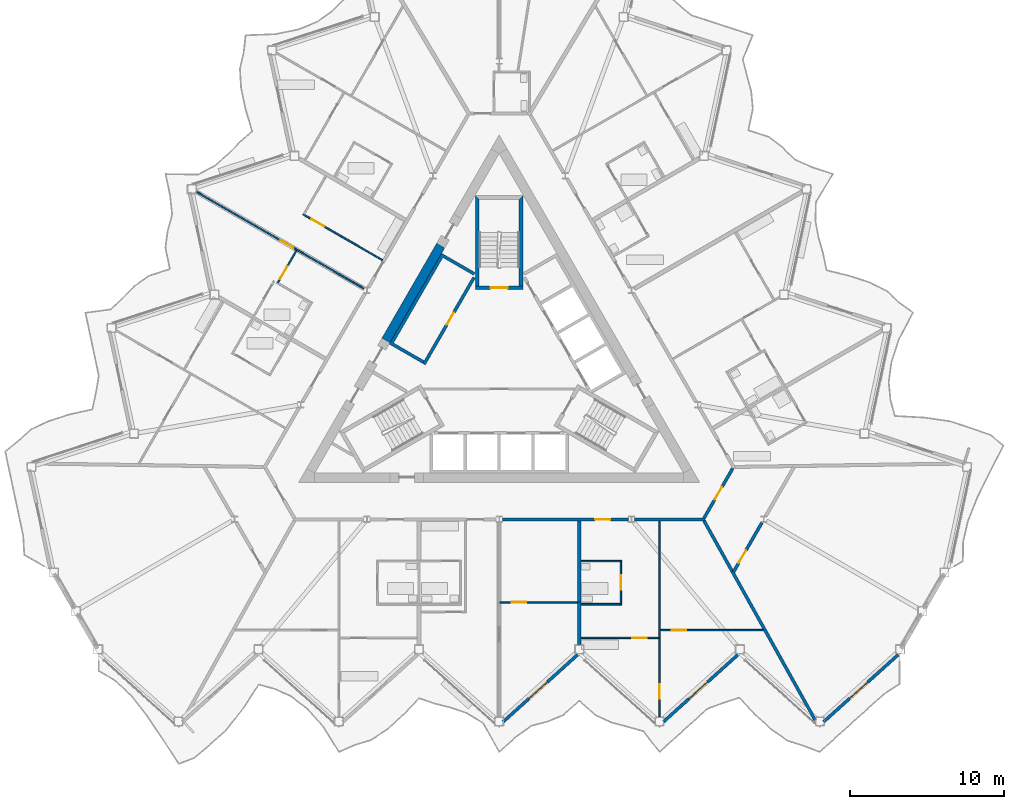
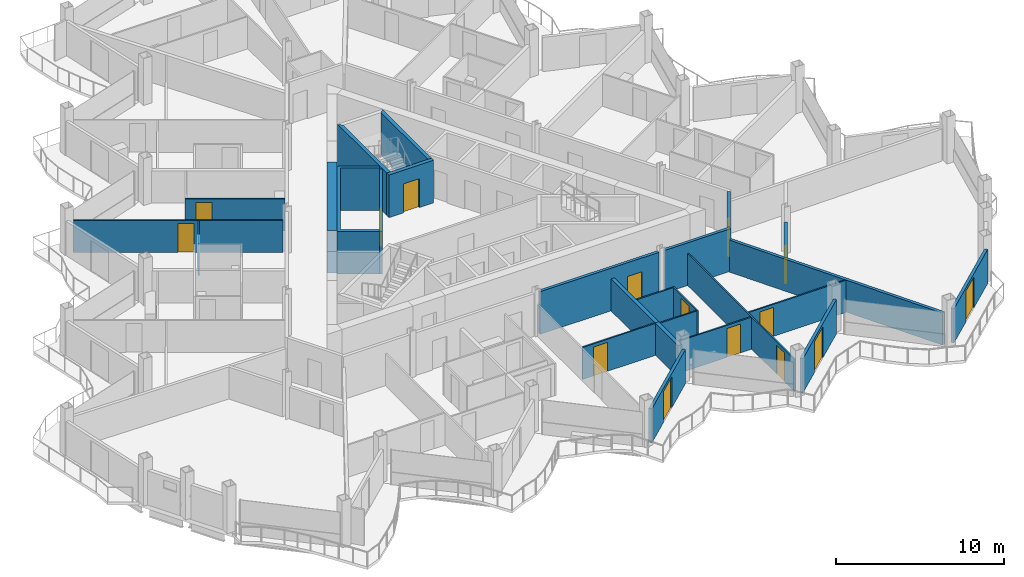
# One storey, part 15 of 26: 26 walls, 16 doors, 16 openings.
"""IFC4 building model written with IfcOpenShell, lengths in metres."""

from ifc_helpers import new_model, si_unit, direction, frame, frame_2d, origin, place, context, subcontext, project, spatial, polyline, rectangle, outline, extrude, material, layer, layer_set, type_object, element, fill, save


model = new_model("IFC4")

# Units and contexts
model_context = context("Model", 3, precision=1e-05, world=origin(), true_north=direction((0.0, 1.0)))
body_context = subcontext(model_context, "Body", "Model", "MODEL_VIEW")
ifc_project = project(units=[si_unit("LENGTHUNIT", "METRE"), si_unit("AREAUNIT", "SQUARE_METRE"), si_unit("VOLUMEUNIT", "CUBIC_METRE"), si_unit("PLANEANGLEUNIT", "RADIAN"), si_unit("MASSUNIT", "GRAM", prefix="KILO")], contexts=[model_context])

# Site, building, storey
site_placement = place(None, origin())
site = spatial("IfcSite", under=ifc_project, at=site_placement, CompositionType="ELEMENT")
building_placement = place(site_placement, origin())
building = spatial("IfcBuilding", under=site, at=building_placement, Name="Cormorant Prow Tower", CompositionType="ELEMENT")
storey_placement = place(building_placement, frame((0.0, 0.0, 325.60009765625)))
storey = spatial("IfcBuildingStorey", under=building, at=storey_placement, Name="L72", CompositionType="ELEMENT", Elevation=325.60009765625)

# Wall
ifc_material_1 = material(Name="Concrete 8000 psi", Category="concrete")
ifc_layer_1 = layer(ifc_material_1, 0.60009765625)
ifc_layer_set_1 = layer_set([ifc_layer_1], Name="Concrete 8000 psi")
wall_type_1 = type_object("IfcWallType", Name="Core shear wall 600", PredefinedType="SHEAR", material=ifc_layer_set_1)
wall_1_placement = place(storey_placement, frame((-3.794189453125, 7.839599609375, 0.0), z_axis=(0.0, 0.0, 1.0), x_axis=(-0.499974747889, -0.866039982607, 0.0)))
element("IfcWall", 1, at=wall_1_placement, inside=storey, type_object=wall_type_1, Name="Core wall", PredefinedType="SHEAR", context=body_context, shape_type="SweptSolid", body=[
    extrude(rectangle(XDim=7.092041015625, YDim=0.60009765625, at=frame_2d((3.5458984375, 0.0))), origin(), (0.0, 0.0, 1.0), 3.099853515625),
])

# Wall, opening, door
ifc_material_2 = material(Name="Gypsum board corridor wall")
ifc_layer_2 = layer(ifc_material_2, 0.199951171875)
ifc_layer_set_2 = layer_set([ifc_layer_2], Name="Gypsum board corridor wall")
wall_type_2 = type_object("IfcWallType", Name="Corridor wall 200", PredefinedType="PARTITIONING", material=ifc_layer_set_2)
wall_2_placement = place(storey_placement, frame((0.207763671875, -9.905517578125, 0.0), z_axis=(0.0, 0.0, 1.0), x_axis=(1.0, 0.0, 0.0)))
wall_2 = element("IfcWall", 2, at=wall_2_placement, inside=storey, type_object=wall_type_2, Name="Corridor wall", PredefinedType="PARTITIONING", context=body_context, shape_type="SweptSolid", body=[
    extrude(rectangle(XDim=8.1630859375, YDim=0.199951171875, at=frame_2d((4.08154296875, 0.0))), origin(), (0.0, 0.0, 1.0), 3.099853515625),
])
opening_1_placement = place(wall_2_placement, frame((6.00439453125, 0.0, 0.0)))
opening_1 = element("IfcOpeningElement", 3, at=opening_1_placement, cuts=wall_2, Name="Opening L72-F11", PredefinedType="OPENING", context=body_context, shape_type="SweptSolid", body=[
    extrude(rectangle(XDim=1.0, YDim=2.10009765625, at=frame_2d((0.5, 1.050048828125))), frame((0.0, 0.10986328125, 0.0), z_axis=(0.0, -1.0, 0.0), x_axis=(1.0, 0.0, 0.0)), (0.0, 0.0, 1.0), 0.219970703125),
])
ifc_material_3 = material(Name="Timber door leaf", Category="wood")
door_type_1 = type_object("IfcDoorType", Name="Flat or room entrance door 1000x2100", OperationType="NOTDEFINED", PredefinedType="DOOR", material=ifc_material_3)
door_1_placement = place(opening_1_placement, origin())
door_1 = element("IfcDoor", 4, at=door_1_placement, inside=storey, type_object=door_type_1, Name="Living room door", OperationType="SINGLE_SWING_LEFT", OverallHeight=2.10009765625, OverallWidth=1.0, PredefinedType="DOOR", context=body_context, shape_type="SweptSolid", body=[
    extrude(rectangle(XDim=1.0, YDim=2.10009765625, at=frame_2d((0.5, 1.050048828125))), frame((0.0, 0.02490234375, 0.0), z_axis=(0.0, -1.0, 0.0), x_axis=(1.0, 0.0, 0.0)), (0.0, 0.0, 1.0), 0.050048828125),
])
fill(opening_1, door_1)

# Wall
wall_3_placement = place(storey_placement, frame((8.7861328125, -9.905517578125, 0.0), z_axis=(0.0, 0.0, 1.0), x_axis=(1.0, 0.0, 0.0)))
element("IfcWall", 5, at=wall_3_placement, inside=storey, type_object=wall_type_2, Name="Corridor wall", PredefinedType="PARTITIONING", context=body_context, shape_type="SweptSolid", body=[
    extrude(rectangle(XDim=4.544677734375, YDim=0.199951171875, at=frame_2d((2.2724609375, 0.0))), origin(), (0.0, 0.0, 1.0), 3.099853515625),
])

# Wall, opening, door
wall_4_placement = place(storey_placement, frame((13.281005859375, -9.819091796875, 0.0), z_axis=(0.0, 0.0, 1.0), x_axis=(0.499958791762, 0.866049194065, 0.0)))
wall_4 = element("IfcWall", 6, at=wall_4_placement, inside=storey, type_object=wall_type_2, Name="Corridor wall", PredefinedType="PARTITIONING", context=body_context, shape_type="SweptSolid", body=[
    extrude(rectangle(XDim=3.725830078125, YDim=0.199951171875, at=frame_2d((1.86279296875, 0.0))), origin(), (0.0, 0.0, 1.0), 3.099853515625),
])
opening_2_placement = place(wall_4_placement, frame((1.387939453125, 0.0, 0.0)))
opening_2 = element("IfcOpeningElement", 7, at=opening_2_placement, cuts=wall_4, Name="Opening L72-F16", PredefinedType="OPENING", context=body_context, shape_type="SweptSolid", body=[
    extrude(rectangle(XDim=0.949951171875, YDim=2.10009765625, at=frame_2d((0.47509765625, 1.050048828125))), frame((0.0, 0.10986328125, 0.0), z_axis=(0.0, -1.0, 0.0), x_axis=(1.0, 0.0, 0.0)), (0.0, 0.0, 1.0), 0.219970703125),
])
ifc_material_4 = material(Name="Timber door leaf", Category="wood")
door_type_2 = type_object("IfcDoorType", Name="Store door 950x2100", OperationType="NOTDEFINED", PredefinedType="DOOR", material=ifc_material_4)
door_2_placement = place(opening_2_placement, origin())
door_2 = element("IfcDoor", 8, at=door_2_placement, inside=storey, type_object=door_type_2, Name="Refuse room door", OperationType="SINGLE_SWING_RIGHT", OverallHeight=2.10009765625, OverallWidth=0.949951171875, PredefinedType="DOOR", context=body_context, shape_type="SweptSolid", body=[
    extrude(rectangle(XDim=0.949951171875, YDim=2.10009765625, at=frame_2d((0.47509765625, 1.050048828125))), frame((0.0, 0.02490234375, 0.0), z_axis=(0.0, -1.0, 0.0), x_axis=(1.0, 0.0, 0.0)), (0.0, 0.0, 1.0), 0.050048828125),
])
fill(opening_2, door_2)

# Wall
ifc_material_5 = material(Name="Gypsum board demising wall")
ifc_layer_3 = layer(ifc_material_5, 0.199951171875)
ifc_layer_set_3 = layer_set([ifc_layer_3], Name="Gypsum board demising wall")
wall_type_3 = type_object("IfcWallType", Name="Demising wall 200", PredefinedType="PARTITIONING", material=ifc_layer_set_3)
wall_5_placement = place(storey_placement, frame((13.279541015625, -9.992919921875, 0.0), z_axis=(0.0, 0.0, 1.0), x_axis=(0.486918292843, -0.873447523378, 0.0)))
element("IfcWall", 9, at=wall_5_placement, inside=storey, type_object=wall_type_3, Name="Demising wall", PredefinedType="PARTITIONING", context=body_context, shape_type="SweptSolid", body=[
    extrude(rectangle(XDim=14.80078125, YDim=0.199951171875, at=frame_2d((7.400390625, 0.0))), origin(), (0.0, 0.0, 1.0), 2.330078125),
])

# Wall, opening, door
wall_6_placement = place(storey_placement, frame((15.19384765625, -13.3056640625, 0.0), z_axis=(0.0, 0.0, 1.0), x_axis=(0.50002820729, 0.866009117685, 0.0)))
wall_6 = element("IfcWall", 10, at=wall_6_placement, inside=storey, type_object=wall_type_3, Name="Demising wall", PredefinedType="PARTITIONING", context=body_context, shape_type="SweptSolid", body=[
    extrude(rectangle(XDim=3.686279296875, YDim=0.199951171875, at=frame_2d((1.84326171875, 0.0))), origin(), (0.0, 0.0, 1.0), 2.330078125),
])
opening_3_placement = place(wall_6_placement, frame((0.656494140625, 0.0, 0.0)))
opening_3 = element("IfcOpeningElement", 11, at=opening_3_placement, cuts=wall_6, Name="Opening L72-F17", PredefinedType="OPENING", context=body_context, shape_type="SweptSolid", body=[
    extrude(rectangle(XDim=0.949951171875, YDim=2.10009765625, at=frame_2d((0.47509765625, 1.050048828125))), frame((0.0, 0.10986328125, 0.0), z_axis=(0.0, -1.0, 0.0), x_axis=(1.0, 0.0, 0.0)), (0.0, 0.0, 1.0), 0.219970703125),
])
door_3_placement = place(opening_3_placement, origin())
door_3 = element("IfcDoor", 12, at=door_3_placement, inside=storey, type_object=door_type_2, Name="Bicycle store door", OperationType="SINGLE_SWING_LEFT", OverallHeight=2.10009765625, OverallWidth=0.949951171875, PredefinedType="DOOR", context=body_context, shape_type="SweptSolid", body=[
    extrude(rectangle(XDim=0.949951171875, YDim=2.10009765625, at=frame_2d((0.47509765625, 1.050048828125))), frame((0.0, 0.02490234375, 0.0), z_axis=(0.0, -1.0, 0.0), x_axis=(1.0, 0.0, 0.0)), (0.0, 0.0, 1.0), 0.050048828125),
])
fill(opening_3, door_3)

ifc_material_6 = material(Name="Gypsum board partition")
ifc_layer_4 = layer(ifc_material_6, 0.10009765625)
ifc_layer_set_4 = layer_set([ifc_layer_4], Name="Gypsum board partition")
wall_type_4 = type_object("IfcWallType", Name="Internal partition 100", PredefinedType="PARTITIONING", material=ifc_layer_set_4)
wall_7_placement = place(storey_placement, frame((10.389404296875, -22.697998046875, 0.0), z_axis=(0.0, 0.0, 1.0), x_axis=(0.0, 1.0, 0.0)))
wall_7 = element("IfcWall", 13, at=wall_7_placement, inside=storey, type_object=wall_type_4, Name="Internal partition", PredefinedType="PARTITIONING", context=body_context, shape_type="SweptSolid", body=[
    extrude(rectangle(XDim=12.6923828125, YDim=0.10009765625, at=frame_2d((6.34619140625, 0.0))), origin(), (0.0, 0.0, 1.0), 2.330078125),
])
opening_4_placement = place(wall_7_placement, frame((1.1533203125, 0.0, 0.0)))
opening_4 = element("IfcOpeningElement", 14, at=opening_4_placement, cuts=wall_7, Name="Opening L72-F14", PredefinedType="OPENING", context=body_context, shape_type="SweptSolid", body=[
    extrude(rectangle(XDim=0.949951171875, YDim=2.10009765625, at=frame_2d((0.47509765625, 1.050048828125))), frame((0.0, 0.06005859375, 0.0), z_axis=(0.0, -1.0, 0.0), x_axis=(1.0, 0.0, 0.0)), (0.0, 0.0, 1.0), 0.1201171875),
])
ifc_material_7 = material(Name="Timber door leaf", Category="wood")
door_type_3 = type_object("IfcDoorType", Name="Bathroom door 950x2100", OperationType="NOTDEFINED", PredefinedType="DOOR", material=ifc_material_7)
door_4_placement = place(opening_4_placement, origin())
door_4 = element("IfcDoor", 15, at=door_4_placement, inside=storey, type_object=door_type_3, Name="Kitchen door", OperationType="SINGLE_SWING_RIGHT", OverallHeight=2.10009765625, OverallWidth=0.949951171875, PredefinedType="DOOR", context=body_context, shape_type="SweptSolid", body=[
    extrude(rectangle(XDim=0.949951171875, YDim=2.10009765625, at=frame_2d((0.47509765625, 1.050048828125))), frame((0.0, 0.02490234375, 0.0), z_axis=(0.0, -1.0, 0.0), x_axis=(1.0, 0.0, 0.0)), (0.0, 0.0, 1.0), 0.050048828125),
])
fill(opening_4, door_4)

wall_8_placement = place(storey_placement, frame((-19.615478515625, 11.3251953125, 0.0), z_axis=(0.0, 0.0, 1.0), x_axis=(0.86602139559, -0.500006942333, 0.0)))
wall_8 = element("IfcWall", 16, at=wall_8_placement, inside=storey, type_object=wall_type_4, Name="Internal partition", PredefinedType="PARTITIONING", context=body_context, shape_type="SweptSolid", body=[
    extrude(rectangle(XDim=12.504638671875, YDim=0.10009765625, at=frame_2d((6.25244140625, 0.0))), origin(), (0.0, 0.0, 1.0), 2.330078125),
])
opening_5_placement = place(wall_8_placement, frame((6.27978515625, 0.0, 0.0)))
opening_5 = element("IfcOpeningElement", 17, at=opening_5_placement, cuts=wall_8, Name="Opening L72-F46", PredefinedType="OPENING", context=body_context, shape_type="SweptSolid", body=[
    extrude(rectangle(XDim=0.949951171875, YDim=2.10009765625, at=frame_2d((0.47509765625, 1.050048828125))), frame((0.0, 0.06005859375, 0.0), z_axis=(0.0, -1.0, 0.0), x_axis=(1.0, 0.0, 0.0)), (0.0, 0.0, 1.0), 0.1201171875),
])
door_5_placement = place(opening_5_placement, origin())
door_5 = element("IfcDoor", 18, at=door_5_placement, inside=storey, type_object=door_type_3, Name="Living room door", OperationType="SINGLE_SWING_RIGHT", OverallHeight=2.10009765625, OverallWidth=0.949951171875, PredefinedType="DOOR", context=body_context, shape_type="SweptSolid", body=[
    extrude(rectangle(XDim=0.949951171875, YDim=2.10009765625, at=frame_2d((0.47509765625, 1.050048828125))), frame((0.0, 0.02490234375, 0.0), z_axis=(0.0, -1.0, 0.0), x_axis=(1.0, 0.0, 0.0)), (0.0, 0.0, 1.0), 0.050048828125),
])
fill(opening_5, door_5)

wall_9_placement = place(storey_placement, frame((10.439453125, -17.083740234375, 0.0), z_axis=(0.0, 0.0, 1.0), x_axis=(1.0, 0.0, 0.0)))
wall_9 = element("IfcWall", 19, at=wall_9_placement, inside=storey, type_object=wall_type_4, Name="Internal partition", PredefinedType="PARTITIONING", context=body_context, shape_type="SweptSolid", body=[
    extrude(rectangle(XDim=6.69287109375, YDim=0.10009765625, at=frame_2d((3.346435546875, 0.0))), origin(), (0.0, 0.0, 1.0), 2.330078125),
])
opening_6_placement = place(wall_9_placement, frame((0.754150390625, 0.0, 0.0)))
opening_6 = element("IfcOpeningElement", 20, at=opening_6_placement, cuts=wall_9, Name="Opening L72-F15", PredefinedType="OPENING", context=body_context, shape_type="SweptSolid", body=[
    extrude(rectangle(XDim=0.949951171875, YDim=2.10009765625, at=frame_2d((0.47509765625, 1.050048828125))), frame((0.0, 0.06005859375, 0.0), z_axis=(0.0, -1.0, 0.0), x_axis=(1.0, 0.0, 0.0)), (0.0, 0.0, 1.0), 0.1201171875),
])
door_6_placement = place(opening_6_placement, origin())
door_6 = element("IfcDoor", 21, at=door_6_placement, inside=storey, type_object=door_type_3, Name="Bedroom door", OperationType="SINGLE_SWING_LEFT", OverallHeight=2.10009765625, OverallWidth=0.949951171875, PredefinedType="DOOR", context=body_context, shape_type="SweptSolid", body=[
    extrude(rectangle(XDim=0.949951171875, YDim=2.10009765625, at=frame_2d((0.47509765625, 1.050048828125))), frame((0.0, 0.02490234375, 0.0), z_axis=(0.0, -1.0, 0.0), x_axis=(1.0, 0.0, 0.0)), (0.0, 0.0, 1.0), 0.050048828125),
])
fill(opening_6, door_6)

wall_10_placement = place(storey_placement, frame((-12.720703125, 9.87841796875, 0.0), z_axis=(0.0, 0.0, 1.0), x_axis=(0.866027751316, -0.499995933934, 0.0)))
wall_10 = element("IfcWall", 22, at=wall_10_placement, inside=storey, type_object=wall_type_4, Name="Internal partition", PredefinedType="PARTITIONING", context=body_context, shape_type="SweptSolid", body=[
    extrude(rectangle(XDim=5.9501953125, YDim=0.10009765625, at=frame_2d((2.97509765625, 0.0))), origin(), (0.0, 0.0, 1.0), 2.330078125),
])
opening_7_placement = place(wall_10_placement, frame((0.64990234375, 0.0, 0.0)))
opening_7 = element("IfcOpeningElement", 23, at=opening_7_placement, cuts=wall_10, Name="Opening L72-F45", PredefinedType="OPENING", context=body_context, shape_type="SweptSolid", body=[
    extrude(rectangle(XDim=0.949951171875, YDim=2.10009765625, at=frame_2d((0.47509765625, 1.050048828125))), frame((0.0, 0.06005859375, 0.0), z_axis=(0.0, -1.0, 0.0), x_axis=(1.0, 0.0, 0.0)), (0.0, 0.0, 1.0), 0.1201171875),
])
door_7_placement = place(opening_7_placement, origin())
door_7 = element("IfcDoor", 24, at=door_7_placement, inside=storey, type_object=door_type_3, Name="Living room door", OperationType="SINGLE_SWING_LEFT", OverallHeight=2.10009765625, OverallWidth=0.949951171875, PredefinedType="DOOR", context=body_context, shape_type="SweptSolid", body=[
    extrude(rectangle(XDim=0.949951171875, YDim=2.10009765625, at=frame_2d((0.47509765625, 1.050048828125))), frame((0.0, 0.02490234375, 0.0), z_axis=(0.0, -1.0, 0.0), x_axis=(1.0, 0.0, 0.0)), (0.0, 0.0, 1.0), 0.050048828125),
])
fill(opening_7, door_7)

wall_11_placement = place(storey_placement, frame((5.319580078125, -17.591796875, 0.0), z_axis=(0.0, 0.0, 1.0), x_axis=(1.0, 0.0, 0.0)))
wall_11 = element("IfcWall", 25, at=wall_11_placement, inside=storey, type_object=wall_type_4, Name="Internal partition", PredefinedType="PARTITIONING", context=body_context, shape_type="SweptSolid", body=[
    extrude(rectangle(XDim=5.019775390625, YDim=0.10009765625, at=frame_2d((2.509765625, 0.0))), origin(), (0.0, 0.0, 1.0), 2.330078125),
])
opening_8_placement = place(wall_11_placement, frame((3.309814453125, 0.0, 0.0)))
opening_8 = element("IfcOpeningElement", 26, at=opening_8_placement, cuts=wall_11, Name="Opening L72-F13", PredefinedType="OPENING", context=body_context, shape_type="SweptSolid", body=[
    extrude(rectangle(XDim=0.949951171875, YDim=2.10009765625, at=frame_2d((0.47509765625, 1.050048828125))), frame((0.0, 0.06005859375, 0.0), z_axis=(0.0, -1.0, 0.0), x_axis=(1.0, 0.0, 0.0)), (0.0, 0.0, 1.0), 0.1201171875),
])
door_8_placement = place(opening_8_placement, origin())
door_8 = element("IfcDoor", 27, at=door_8_placement, inside=storey, type_object=door_type_3, Name="Living room door", OperationType="SINGLE_SWING_RIGHT", OverallHeight=2.10009765625, OverallWidth=0.949951171875, PredefinedType="DOOR", context=body_context, shape_type="SweptSolid", body=[
    extrude(rectangle(XDim=0.949951171875, YDim=2.10009765625, at=frame_2d((0.47509765625, 1.050048828125))), frame((0.0, 0.02490234375, 0.0), z_axis=(0.0, -1.0, 0.0), x_axis=(1.0, 0.0, 0.0)), (0.0, 0.0, 1.0), 0.050048828125),
])
fill(opening_8, door_8)

wall_12_placement = place(storey_placement, frame((0.050048828125, -15.28173828125, 0.0), z_axis=(0.0, 0.0, 1.0), x_axis=(1.0, 0.0, 0.0)))
wall_12 = element("IfcWall", 28, at=wall_12_placement, inside=storey, type_object=wall_type_4, Name="Internal partition", PredefinedType="PARTITIONING", context=body_context, shape_type="SweptSolid", body=[
    extrude(rectangle(XDim=5.01953125, YDim=0.10009765625, at=frame_2d((2.509765625, 0.0))), origin(), (0.0, 0.0, 1.0), 2.330078125),
])
opening_9_placement = place(wall_12_placement, frame((0.760009765625, 0.0, 0.0)))
opening_9 = element("IfcOpeningElement", 29, at=opening_9_placement, cuts=wall_12, Name="Opening L72-F09", PredefinedType="OPENING", context=body_context, shape_type="SweptSolid", body=[
    extrude(rectangle(XDim=0.949951171875, YDim=2.10009765625, at=frame_2d((0.47509765625, 1.050048828125))), frame((0.0, 0.06005859375, 0.0), z_axis=(0.0, -1.0, 0.0), x_axis=(1.0, 0.0, 0.0)), (0.0, 0.0, 1.0), 0.1201171875),
])
door_9_placement = place(opening_9_placement, origin())
door_9 = element("IfcDoor", 30, at=door_9_placement, inside=storey, type_object=door_type_3, Name="Bedroom door", OperationType="SINGLE_SWING_LEFT", OverallHeight=2.10009765625, OverallWidth=0.949951171875, PredefinedType="DOOR", context=body_context, shape_type="SweptSolid", body=[
    extrude(rectangle(XDim=0.949951171875, YDim=2.10009765625, at=frame_2d((0.47509765625, 1.050048828125))), frame((0.0, 0.02490234375, 0.0), z_axis=(0.0, -1.0, 0.0), x_axis=(1.0, 0.0, 0.0)), (0.0, 0.0, 1.0), 0.050048828125),
])
fill(opening_9, door_9)

wall_13_placement = place(storey_placement, frame((7.894775390625, -15.45556640625, 0.0), z_axis=(0.0, 0.0, 1.0), x_axis=(0.0, 1.0, 0.0)))
wall_13 = element("IfcWall", 31, at=wall_13_placement, inside=storey, type_object=wall_type_4, Name="Internal partition", PredefinedType="PARTITIONING", context=body_context, shape_type="SweptSolid", body=[
    extrude(rectangle(XDim=2.89990234375, YDim=0.10009765625, at=frame_2d((1.449951171875, 0.0))), origin(), (0.0, 0.0, 1.0), 2.330078125),
])
opening_10_placement = place(wall_13_placement, frame((0.97509765625, 0.0, 0.0)))
opening_10 = element("IfcOpeningElement", 32, at=opening_10_placement, cuts=wall_13, Name="Opening L72-F12", PredefinedType="OPENING", context=body_context, shape_type="SweptSolid", body=[
    extrude(rectangle(XDim=0.949951171875, YDim=2.10009765625, at=frame_2d((0.47509765625, 1.050048828125))), frame((0.0, 0.06005859375, 0.0), z_axis=(0.0, -1.0, 0.0), x_axis=(1.0, 0.0, 0.0)), (0.0, 0.0, 1.0), 0.1201171875),
])
door_10_placement = place(opening_10_placement, origin())
door_10 = element("IfcDoor", 33, at=door_10_placement, inside=storey, type_object=door_type_3, Name="Living room door", OperationType="SINGLE_SWING_LEFT", OverallHeight=2.10009765625, OverallWidth=0.949951171875, PredefinedType="DOOR", context=body_context, shape_type="SweptSolid", body=[
    extrude(rectangle(XDim=0.949951171875, YDim=2.10009765625, at=frame_2d((0.47509765625, 1.050048828125))), frame((0.0, 0.02490234375, 0.0), z_axis=(0.0, -1.0, 0.0), x_axis=(1.0, 0.0, 0.0)), (0.0, 0.0, 1.0), 0.050048828125),
])
fill(opening_10, door_10)

# Walls
for number, where, z_axis, x_axis, name in (
    (34, (5.319580078125, -12.605712890625, 0.0), (0.0, 0.0, 1.0), (1.0, 0.0, 0.0), "Internal partition"),
    (35, (5.319580078125, -15.405517578125, 0.0), (0.0, 0.0, 1.0), (1.0, 0.0, 0.0), "Internal partition"),
):
    element("IfcWall", number, at=place(storey_placement, frame(where, z_axis=z_axis, x_axis=x_axis)), inside=storey, type_object=wall_type_4, Name=name, PredefinedType="PARTITIONING", context=body_context, shape_type="SweptSolid", body=[
        extrude(rectangle(XDim=2.525146484375, YDim=0.10009765625, at=frame_2d((1.2626953125, 0.0))), origin(), (0.0, 0.0, 1.0), 2.330078125),
    ])

# Wall, opening, door
wall_14_placement = place(storey_placement, frame((-14.340576171875, 5.45654296875, 0.0), z_axis=(0.0, 0.0, 1.0), x_axis=(0.499954846121, 0.866051471819, 0.0)))
wall_14 = element("IfcWall", 36, at=wall_14_placement, inside=storey, type_object=wall_type_4, Name="Internal partition", PredefinedType="PARTITIONING", context=body_context, shape_type="SweptSolid", body=[
    extrude(rectangle(XDim=2.394775390625, YDim=0.10009765625, at=frame_2d((1.197265625, 0.0))), origin(), (0.0, 0.0, 1.0), 2.330078125),
])
opening_11_placement = place(wall_14_placement, frame((0.25, 0.0, 0.0)))
opening_11 = element("IfcOpeningElement", 37, at=opening_11_placement, cuts=wall_14, Name="Opening L72-F47", PredefinedType="OPENING", context=body_context, shape_type="SweptSolid", body=[
    extrude(rectangle(XDim=0.949951171875, YDim=2.10009765625, at=frame_2d((0.47509765625, 1.050048828125))), frame((0.0, 0.06005859375, 0.0), z_axis=(0.0, -1.0, 0.0), x_axis=(1.0, 0.0, 0.0)), (0.0, 0.0, 1.0), 0.1201171875),
])
door_11_placement = place(opening_11_placement, origin())
door_11 = element("IfcDoor", 38, at=door_11_placement, inside=storey, type_object=door_type_3, Name="Bedroom door", OperationType="SINGLE_SWING_LEFT", OverallHeight=2.10009765625, OverallWidth=0.949951171875, PredefinedType="DOOR", context=body_context, shape_type="SweptSolid", body=[
    extrude(rectangle(XDim=0.949951171875, YDim=2.10009765625, at=frame_2d((0.47509765625, 1.050048828125))), frame((0.0, 0.02490234375, 0.0), z_axis=(0.0, -1.0, 0.0), x_axis=(1.0, 0.0, 0.0)), (0.0, 0.0, 1.0), 0.050048828125),
])
fill(opening_11, door_11)

ifc_material_8 = material(Name="Concrete 5000 psi", Category="concrete")
ifc_layer_5 = layer(ifc_material_8, 0.199951171875)
ifc_layer_set_5 = layer_set([ifc_layer_5], Name="Concrete 5000 psi")
wall_type_5 = type_object("IfcWallType", Name="Lift lobby wall 200", PredefinedType="SOLIDWALL", material=ifc_layer_set_5)
wall_15_placement = place(storey_placement, frame((-1.630615234375, 5.775634765625, 0.0), z_axis=(0.0, 0.0, 1.0), x_axis=(-0.499992876559, -0.866029516466, 0.0)))
wall_15 = element("IfcWall", 39, at=wall_15_placement, inside=storey, type_object=wall_type_5, Name="Lift lobby wall, WNW block", PredefinedType="SOLIDWALL", context=body_context, shape_type="SweptSolid", body=[
    extrude(rectangle(XDim=6.486328125, YDim=0.199951171875, at=frame_2d((3.2431640625, 0.0))), origin(), (0.0, 0.0, 1.0), 3.099853515625),
])
opening_12_placement = place(wall_15_placement, frame((2.63671875, 0.0, 0.0)))
opening_12 = element("IfcOpeningElement", 40, at=opening_12_placement, cuts=wall_15, Name="Opening L72-C09", PredefinedType="OPENING", context=body_context, shape_type="SweptSolid", body=[
    extrude(rectangle(XDim=0.89990234375, YDim=2.10009765625, at=frame_2d((0.449951171875, 1.050048828125))), frame((0.0, 0.10986328125, 0.0), z_axis=(0.0, -1.0, 0.0), x_axis=(1.0, 0.0, 0.0)), (0.0, 0.0, 1.0), 0.219970703125),
])
ifc_material_9 = material(Name="Painted steel", Category="steel")
door_type_4 = type_object("IfcDoorType", Name="Service door 900x2100", OperationType="NOTDEFINED", PredefinedType="DOOR", material=ifc_material_9)
door_12_placement = place(opening_12_placement, origin())
door_12 = element("IfcDoor", 41, at=door_12_placement, inside=storey, type_object=door_type_4, Name="Service door, Pantry store", OperationType="SINGLE_SWING_LEFT", OverallHeight=2.10009765625, OverallWidth=0.89990234375, PredefinedType="DOOR", context=body_context, shape_type="SweptSolid", body=[
    extrude(rectangle(XDim=0.89990234375, YDim=2.10009765625, at=frame_2d((0.449951171875, 1.050048828125))), frame((0.0, 0.02490234375, 0.0), z_axis=(0.0, -1.0, 0.0), x_axis=(1.0, 0.0, 0.0)), (0.0, 0.0, 1.0), 0.050048828125),
])
fill(opening_12, door_12)

# Walls
ifc_material_10 = material(Name="Concrete 8000 psi", Category="concrete")
ifc_layer_6 = layer(ifc_material_10, 0.199951171875)
ifc_layer_set_6 = layer_set([ifc_layer_6], Name="Concrete 8000 psi")
wall_type_6 = type_object("IfcWallType", Name="Lift shaft wall 200", PredefinedType="SHEAR", material=ifc_layer_set_6)
wall_16_placement = place(storey_placement, origin())
element("IfcWall", 42, at=wall_16_placement, inside=storey, type_object=wall_type_6, Name="Lift shaft walls, WNW block", PredefinedType="SHEAR", context=body_context, shape_type="SweptSolid", body=[
    extrude(outline(polyline([(-4.96044921875, 0.2080078125), (-7.130859375, 1.461181640625), (-3.730712890625, 7.35009765625), (-1.560546875, 6.09716796875), (-1.660400390625, 5.923828125), (-3.65234375, 7.073974609375), (-6.852294921875, 1.53125), (-4.860595703125, 0.38134765625), (-4.96044921875, 0.2080078125)])), origin(), (0.0, 0.0, 1.0), 3.099853515625),
])
ifc_material_11 = material(Name="Concrete 8000 psi", Category="concrete")
ifc_layer_7 = layer(ifc_material_11, 0.25)
ifc_layer_set_7 = layer_set([ifc_layer_7], Name="Concrete 8000 psi")
wall_type_7 = type_object("IfcWallType", Name="Stair wall 250", PredefinedType="SHEAR", material=ifc_layer_set_7)
wall_17_placement = place(storey_placement, origin())
element("IfcWall", 43, at=wall_17_placement, inside=storey, type_object=wall_type_7, Name="Stair ST3 enclosure wall (flank)", PredefinedType="SHEAR", context=body_context, shape_type="SweptSolid", body=[
    extrude(outline(polyline([(1.5439453125, 5.23681640625), (1.5439453125, 11.0869140625), (1.2939453125, 10.8369140625), (1.2939453125, 5.23681640625), (1.5439453125, 5.23681640625)])), origin(), (0.0, 0.0, 1.0), 3.099853515625),
])
wall_18_placement = place(storey_placement, origin())
element("IfcWall", 44, at=wall_18_placement, inside=storey, type_object=wall_type_7, Name="Stair ST3 enclosure wall (flank)", PredefinedType="SHEAR", context=body_context, shape_type="SweptSolid", body=[
    extrude(outline(polyline([(-1.2939453125, 10.8369140625), (-1.5439453125, 11.0869140625), (-1.5439453125, 5.23681640625), (-1.2939453125, 5.23681640625), (-1.2939453125, 10.8369140625)])), origin(), (0.0, 0.0, 1.0), 3.099853515625),
])

# Wall, opening, door
wall_19_placement = place(storey_placement, frame((1.5439453125, 5.11181640625, 0.0), z_axis=(0.0, 0.0, 1.0), x_axis=(-1.0, 0.0, 0.0)))
wall_19 = element("IfcWall", 45, at=wall_19_placement, inside=storey, type_object=wall_type_7, Name="Stair ST3 door wall", PredefinedType="SHEAR", context=body_context, shape_type="SweptSolid", body=[
    extrude(rectangle(XDim=3.087890625, YDim=0.25, at=frame_2d((1.5439453125, 0.0))), origin(), (0.0, 0.0, 1.0), 3.099853515625),
])
opening_13_placement = place(wall_19_placement, frame((0.993896484375, 0.0, 0.0)))
opening_13 = element("IfcOpeningElement", 46, at=opening_13_placement, cuts=wall_19, Name="Opening L72-C13", PredefinedType="OPENING", context=body_context, shape_type="SweptSolid", body=[
    extrude(rectangle(XDim=1.10009765625, YDim=2.10009765625, at=frame_2d((0.550048828125, 1.050048828125))), frame((0.0, 0.135009765625, 0.0), z_axis=(0.0, -1.0, 0.0), x_axis=(1.0, 0.0, 0.0)), (0.0, 0.0, 1.0), 0.27001953125),
])
ifc_material_12 = material(Name="Painted steel", Category="steel")
door_type_5 = type_object("IfcDoorType", Name="Stair door 1100x2100", OperationType="NOTDEFINED", PredefinedType="DOOR", material=ifc_material_12)
door_13_placement = place(opening_13_placement, origin())
door_13 = element("IfcDoor", 47, at=door_13_placement, inside=storey, type_object=door_type_5, Name="Stair ST3 door", OperationType="SINGLE_SWING_RIGHT", OverallHeight=2.10009765625, OverallWidth=1.10009765625, PredefinedType="DOOR", context=body_context, shape_type="SweptSolid", body=[
    extrude(rectangle(XDim=1.10009765625, YDim=2.10009765625, at=frame_2d((0.550048828125, 1.050048828125))), frame((0.0, 0.02490234375, 0.0), z_axis=(0.0, -1.0, 0.0), x_axis=(1.0, 0.0, 0.0)), (0.0, 0.0, 1.0), 0.050048828125),
])
fill(opening_13, door_13)

# Walls
ifc_material_13 = material(Name="Acoustic gypsum party wall")
ifc_layer_8 = layer(ifc_material_13, 0.25)
ifc_layer_set_8 = layer_set([ifc_layer_8], Name="Acoustic gypsum party wall")
wall_type_8 = type_object("IfcWallType", Name="Suite party wall 250", PredefinedType="PARTITIONING", material=ifc_layer_set_8)
wall_20_placement = place(storey_placement, frame((5.194580078125, -15.40673828125, 0.0), z_axis=(0.0, 0.0, 1.0), x_axis=(0.0, 1.0, 0.0)))
element("IfcWall", 48, at=wall_20_placement, inside=storey, type_object=wall_type_8, Name="Suite party wall", PredefinedType="PARTITIONING", context=body_context, shape_type="SweptSolid", body=[
    extrude(rectangle(XDim=5.401123046875, YDim=0.25, at=frame_2d((2.70068359375, 0.0))), origin(), (0.0, 0.0, 1.0), 2.330078125),
])
wall_21_placement = place(storey_placement, frame((5.194580078125, -18.016845703125, 0.0), z_axis=(0.0, 0.0, 1.0), x_axis=(0.0, 1.0, 0.0)))
element("IfcWall", 49, at=wall_21_placement, inside=storey, type_object=wall_type_8, Name="Suite party wall", PredefinedType="PARTITIONING", context=body_context, shape_type="SweptSolid", body=[
    extrude(rectangle(XDim=2.746337890625, YDim=0.25, at=frame_2d((1.373046875, 0.0))), origin(), (0.0, 0.0, 1.0), 2.330078125),
])

# Wall, opening, door
ifc_material_14 = material(Name="Terracotta", Category="masonry")
ifc_layer_9 = layer(ifc_material_14, 0.199951171875)
ifc_layer_set_9 = layer_set([ifc_layer_9], Name="Terracotta")
wall_type_9 = type_object("IfcWallType", Name="Terracotta jamb wall 200", PredefinedType="SOLIDWALL", material=ifc_layer_set_9)
wall_22_placement = place(storey_placement, frame((0.255615234375, -23.03076171875, 0.0), z_axis=(0.0, 0.0, 1.0), x_axis=(0.743138937876, 0.669137145145, 0.0)))
wall_22 = element("IfcWall", 50, at=wall_22_placement, inside=storey, type_object=wall_type_9, Name="Terracotta jamb wall S05", PredefinedType="SOLIDWALL", context=body_context, shape_type="SweptSolid", body=[
    extrude(rectangle(XDim=6.49267578125, YDim=0.199951171875, at=frame_2d((3.246337890625, 0.0))), origin(), (0.0, 0.0, 1.0), 2.48779296875),
])
opening_14_placement = place(wall_22_placement, frame((2.260986328125, 0.0, 0.0)))
opening_14 = element("IfcOpeningElement", 51, at=opening_14_placement, cuts=wall_22, Name="Opening ED72.03", PredefinedType="OPENING", context=body_context, shape_type="SweptSolid", body=[
    extrude(rectangle(XDim=1.60009765625, YDim=2.25, at=frame_2d((0.800048828125, 1.125))), frame((0.0, 0.10986328125, 0.0), z_axis=(0.0, -1.0, 0.0), x_axis=(1.0, 0.0, 0.0)), (0.0, 0.0, 1.0), 0.219970703125),
])
ifc_material_15 = material(Name="Aluminium 6063-T6", Category="aluminium")
door_type_6 = type_object("IfcDoorType", Name="Balcony door 1600x2250", OperationType="DOUBLE_DOOR_SINGLE_SWING", PredefinedType="DOOR", material=ifc_material_15)
door_14_placement = place(opening_14_placement, origin())
door_14 = element("IfcDoor", 52, at=door_14_placement, inside=storey, type_object=door_type_6, Name="Balcony door S05 ED72.03", OperationType="DOUBLE_DOOR_SINGLE_SWING", OverallHeight=2.25, OverallWidth=1.60009765625, PredefinedType="DOOR", context=body_context, shape_type="SweptSolid", body=[
    extrude(rectangle(XDim=1.60009765625, YDim=2.25, at=frame_2d((0.800048828125, 1.125))), frame((0.0, 0.02490234375, 0.0), z_axis=(0.0, -1.0, 0.0), x_axis=(1.0, 0.0, 0.0)), (0.0, 0.0, 1.0), 0.050048828125),
])
fill(opening_14, door_14)

wall_23_placement = place(storey_placement, frame((10.64501953125, -23.03076171875, 0.0), z_axis=(0.0, 0.0, 1.0), x_axis=(0.743138937876, 0.669137145145, 0.0)))
wall_23 = element("IfcWall", 53, at=wall_23_placement, inside=storey, type_object=wall_type_9, Name="Terracotta jamb wall S07", PredefinedType="SOLIDWALL", context=body_context, shape_type="SweptSolid", body=[
    extrude(rectangle(XDim=6.49267578125, YDim=0.199951171875, at=frame_2d((3.246337890625, 0.0))), origin(), (0.0, 0.0, 1.0), 2.48779296875),
])
opening_15_placement = place(wall_23_placement, frame((2.260986328125, 0.0, 0.0)))
opening_15 = element("IfcOpeningElement", 54, at=opening_15_placement, cuts=wall_23, Name="Opening ED72.04", PredefinedType="OPENING", context=body_context, shape_type="SweptSolid", body=[
    extrude(rectangle(XDim=1.60009765625, YDim=2.25, at=frame_2d((0.800048828125, 1.125))), frame((0.0, 0.10986328125, 0.0), z_axis=(0.0, -1.0, 0.0), x_axis=(1.0, 0.0, 0.0)), (0.0, 0.0, 1.0), 0.219970703125),
])
door_15_placement = place(opening_15_placement, origin())
door_15 = element("IfcDoor", 55, at=door_15_placement, inside=storey, type_object=door_type_6, Name="Balcony door S07 ED72.04", OperationType="DOUBLE_DOOR_SINGLE_SWING", OverallHeight=2.25, OverallWidth=1.60009765625, PredefinedType="DOOR", context=body_context, shape_type="SweptSolid", body=[
    extrude(rectangle(XDim=1.60009765625, YDim=2.25, at=frame_2d((0.800048828125, 1.125))), frame((0.0, 0.02490234375, 0.0), z_axis=(0.0, -1.0, 0.0), x_axis=(1.0, 0.0, 0.0)), (0.0, 0.0, 1.0), 0.050048828125),
])
fill(opening_15, door_15)

wall_24_placement = place(storey_placement, frame((21.034423828125, -23.03076171875, 0.0), z_axis=(0.0, 0.0, 1.0), x_axis=(0.743138937876, 0.669137145145, 0.0)))
wall_24 = element("IfcWall", 56, at=wall_24_placement, inside=storey, type_object=wall_type_9, Name="Terracotta jamb wall S09", PredefinedType="SOLIDWALL", context=body_context, shape_type="SweptSolid", body=[
    extrude(rectangle(XDim=6.49267578125, YDim=0.199951171875, at=frame_2d((3.246337890625, 0.0))), origin(), (0.0, 0.0, 1.0), 2.48779296875),
])
opening_16_placement = place(wall_24_placement, frame((2.260986328125, 0.0, 0.0)))
opening_16 = element("IfcOpeningElement", 57, at=opening_16_placement, cuts=wall_24, Name="Opening ED72.05", PredefinedType="OPENING", context=body_context, shape_type="SweptSolid", body=[
    extrude(rectangle(XDim=1.60009765625, YDim=2.25, at=frame_2d((0.800048828125, 1.125))), frame((0.0, 0.10986328125, 0.0), z_axis=(0.0, -1.0, 0.0), x_axis=(1.0, 0.0, 0.0)), (0.0, 0.0, 1.0), 0.219970703125),
])
door_16_placement = place(opening_16_placement, origin())
door_16 = element("IfcDoor", 58, at=door_16_placement, inside=storey, type_object=door_type_6, Name="Balcony door S09 ED72.05", OperationType="DOUBLE_DOOR_SINGLE_SWING", OverallHeight=2.25, OverallWidth=1.60009765625, PredefinedType="DOOR", context=body_context, shape_type="SweptSolid", body=[
    extrude(rectangle(XDim=1.60009765625, YDim=2.25, at=frame_2d((0.800048828125, 1.125))), frame((0.0, 0.02490234375, 0.0), z_axis=(0.0, -1.0, 0.0), x_axis=(1.0, 0.0, 0.0)), (0.0, 0.0, 1.0), 0.050048828125),
])
fill(opening_16, door_16)

save(model, "model.ifc")
